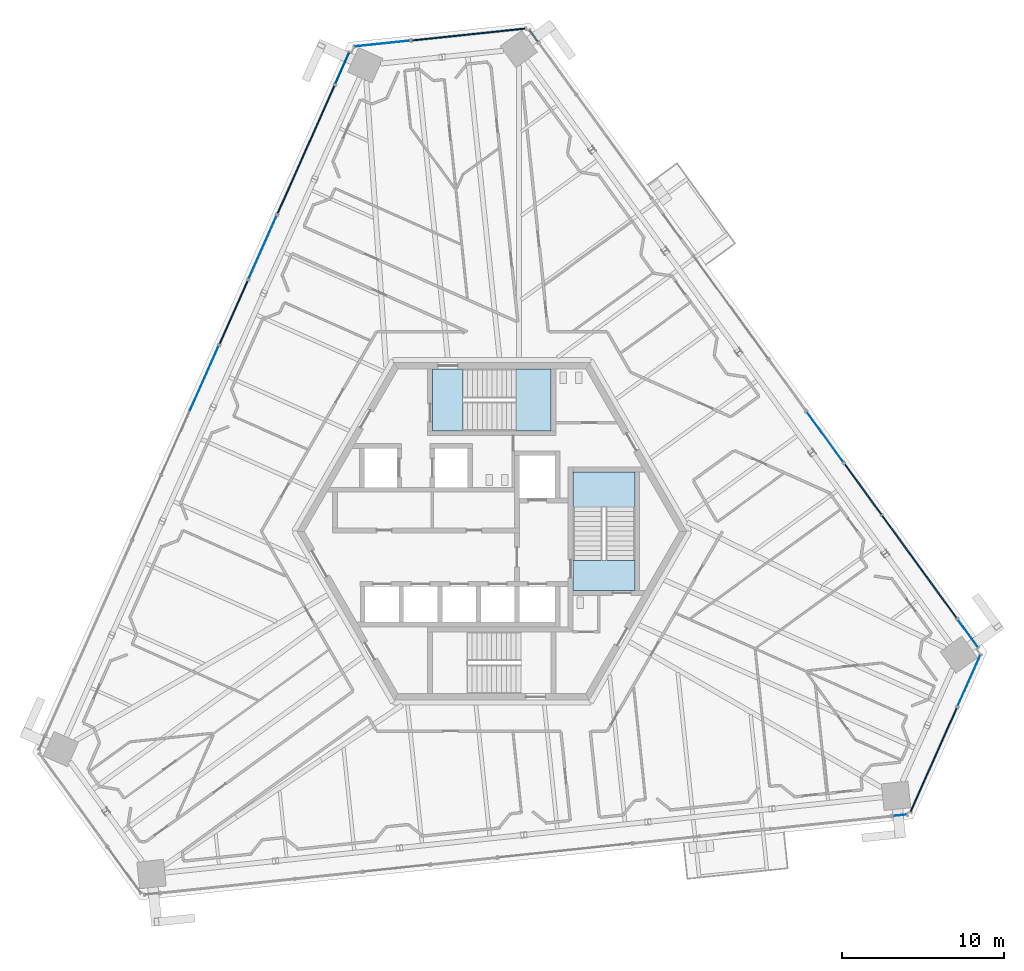
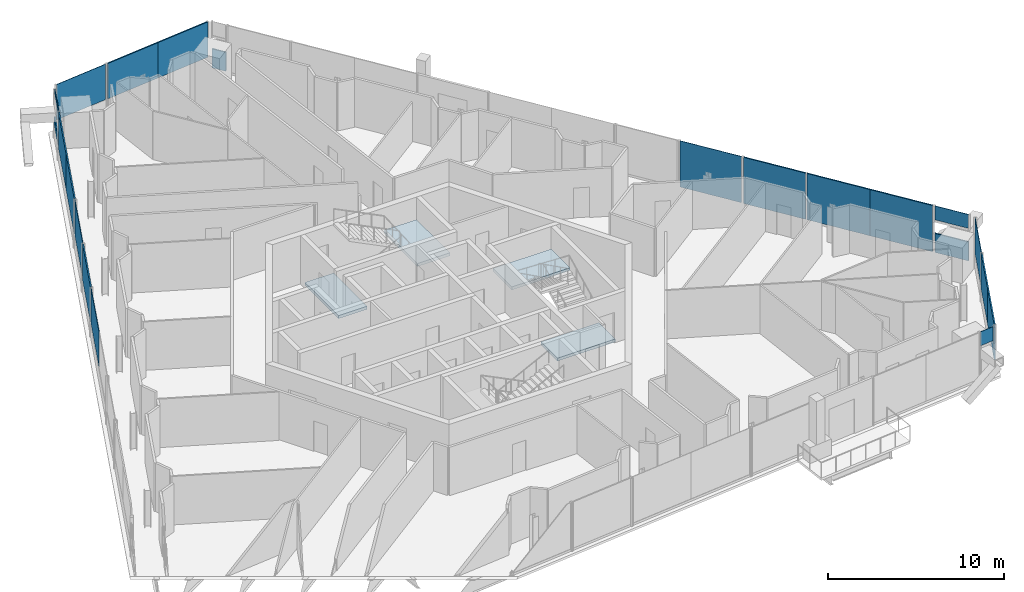
# One storey, part 13 of 26: 21 plates, 4 slabs, 18 elements without a shape of their own.
"""IFC4 building model written with IfcOpenShell, lengths in metres."""

from ifc_helpers import new_model, si_unit, direction, frame, origin, origin_2d, place, context, subcontext, project, spatial, polyline, rectangle, outline, extrude, source, transform, mapped, material, layer, layer_set, type_object, element, aggregate, save


model = new_model("IFC4")

# Units and contexts
model_context = context("Model", 3, precision=1e-05, world=origin(), true_north=direction((0.0, 1.0)))
body_context = subcontext(model_context, "Body", "Model", "MODEL_VIEW")
ifc_project = project(units=[si_unit("LENGTHUNIT", "METRE"), si_unit("AREAUNIT", "SQUARE_METRE"), si_unit("VOLUMEUNIT", "CUBIC_METRE"), si_unit("PLANEANGLEUNIT", "RADIAN"), si_unit("MASSUNIT", "GRAM", prefix="KILO")], contexts=[model_context])

# Site, building, storey
site_placement = place(None, origin())
site = spatial("IfcSite", under=ifc_project, at=site_placement, CompositionType="ELEMENT")
building_placement = place(site_placement, origin())
building = spatial("IfcBuilding", under=site, at=building_placement, Name="Triune Harvest Tower", CompositionType="ELEMENT")
storey_placement = place(building_placement, frame((0.0, 0.0, 252.10009765625)))
storey = spatial("IfcBuildingStorey", under=building, at=storey_placement, Name="L66", CompositionType="ELEMENT", Elevation=252.10009765625)

# Curtain wall, plate
ifc_material_1 = material(Name="Aluminium bronze anodised", Category="aluminium")
curtain_wall_type_1 = type_object("IfcCurtainWallType", Name="CW-1 Tower stick curtain wall", PredefinedType="NOTDEFINED", material=ifc_material_1)
curtain_wall_1_placement = place(storey_placement, origin())
curtain_wall_1 = element("IfcCurtainWall", 1, at=curtain_wall_1_placement, inside=storey, type_object=curtain_wall_type_1, Name="CW-1 B6-F3 L66 run 101")
ifc_material_2 = material(Name="Glass", Category="glass")
ifc_layer_1 = layer(ifc_material_2, 0.031982421875)
ifc_layer_set_1 = layer_set([ifc_layer_1], Name="Glass")
plate_type_1 = type_object("IfcPlateType", Name="GL-1 panel 32", PredefinedType="CURTAIN_PANEL", material=ifc_layer_set_1)
plate_1_placement = place(storey_placement, frame((-9.20068359375, 28.51513671875, 3.134765625), z_axis=(0.0, 0.0, 1.0), x_axis=(-0.406757886105, -0.913535999341, 0.0)))
plate_1 = element("IfcPlate", 2, at=plate_1_placement, type_object=plate_type_1, Name="CW-1 panel B6-F3 101.1", PredefinedType="CURTAIN_PANEL", context=body_context, shape_type="SweptSolid", body=[
    extrude(rectangle(XDim=2.08154296875, YDim=0.031982421875, at=origin_2d()), origin(), (0.0, 0.0, 1.0), 0.215087890625),
])
aggregate(curtain_wall_1, [plate_1])

curtain_wall_2_placement = place(storey_placement, origin())
curtain_wall_2 = element("IfcCurtainWall", 3, at=curtain_wall_2_placement, inside=storey, type_object=curtain_wall_type_1, Name="CW-1 B6-F3 L66 run 1201")
plate_2_placement = place(storey_placement, frame((-14.113037109375, 17.482177734375, 0.89990234375), z_axis=(0.0, 0.0, 1.0), x_axis=(-0.406743590698, -0.91354236433, 0.0)))
plate_2 = element("IfcPlate", 4, at=plate_2_placement, type_object=plate_type_1, Name="CW-1 panel B6-F3 1201.1", PredefinedType="CURTAIN_PANEL", context=body_context, shape_type="SweptSolid", body=[
    extrude(rectangle(XDim=4.234619140625, YDim=0.031982421875, at=origin_2d()), origin(), (0.0, 0.0, 1.0), 2.449951171875),
])
aggregate(curtain_wall_2, [plate_2])

curtain_wall_3_placement = place(storey_placement, origin())
curtain_wall_3 = element("IfcCurtainWall", 5, at=curtain_wall_3_placement, inside=storey, type_object=curtain_wall_type_1, Name="CW-1 B6-F3 L66 run 3201")
plate_3_placement = place(storey_placement, frame((-17.69482421875, 9.43701171875, 0.89990234375), z_axis=(0.0, 0.0, 1.0), x_axis=(-0.406733726114, -0.913546756352, 0.0)))
plate_3 = element("IfcPlate", 6, at=plate_3_placement, type_object=plate_type_1, Name="CW-1 panel B6-F3 3201.1", PredefinedType="CURTAIN_PANEL", context=body_context, shape_type="SweptSolid", body=[
    extrude(rectangle(XDim=4.3095703125, YDim=0.031982421875, at=origin_2d()), origin(), (0.0, 0.0, 1.0), 2.449951171875),
])
aggregate(curtain_wall_3, [plate_3])

curtain_wall_4_placement = place(storey_placement, origin())
curtain_wall_4 = element("IfcCurtainWall", 7, at=curtain_wall_4_placement, inside=storey, type_object=curtain_wall_type_1, Name="CW-1 B6-F6 L66 run 1001")
plate_4_placement = place(storey_placement, frame((29.37353515625, -9.163818359375, 0.89990234375), z_axis=(0.0, 0.0, 1.0), x_axis=(0.406751112323, 0.913539015381, 0.0)))
plate_4 = element("IfcPlate", 8, at=plate_4_placement, type_object=plate_type_1, Name="CW-1 panel B6-F6 1001.1", PredefinedType="CURTAIN_PANEL", context=body_context, shape_type="SweptSolid", body=[
    extrude(rectangle(XDim=3.425537109375, YDim=0.031982421875, at=origin_2d()), origin(), (0.0, 0.0, 1.0), 2.449951171875),
])
aggregate(curtain_wall_4, [plate_4])

ifc_material_3 = material(Name="Aluminium bronze anodised", Category="aluminium")
curtain_wall_type_2 = type_object("IfcCurtainWallType", Name="CW-6 Balcony window wall", PredefinedType="NOTDEFINED", material=ifc_material_3)
curtain_wall_5_placement = place(storey_placement, origin())
curtain_wall_5 = element("IfcCurtainWall", 9, at=curtain_wall_5_placement, inside=storey, type_object=curtain_wall_type_2, Name="CW-6 B6-F1 L66 run 101")
ifc_material_4 = material(Name="Glass", Category="glass")
ifc_layer_2 = layer(ifc_material_4, 0.030029296875)
ifc_layer_set_2 = layer_set([ifc_layer_2], Name="Glass")
plate_type_2 = type_object("IfcPlateType", Name="GL-6 panel 30", PredefinedType="CURTAIN_PANEL", material=ifc_layer_set_2)
plate_5_placement = place(storey_placement, frame((29.296630859375, -6.29150390625, 2.384765625), z_axis=(0.0, 0.0, 1.0), x_axis=(-0.587800420695, 0.809005973668, 0.0)))
plate_5 = element("IfcPlate", 10, at=plate_5_placement, type_object=plate_type_2, Name="CW-6 panel B6-F1 101.1", PredefinedType="CURTAIN_PANEL", context=body_context, shape_type="SweptSolid", body=[
    extrude(rectangle(XDim=2.076416015625, YDim=0.030029296875, at=origin_2d()), origin(), (0.0, 0.0, 1.0), 0.965087890625),
])
aggregate(curtain_wall_5, [plate_5])

curtain_wall_6_placement = place(storey_placement, origin())
curtain_wall_6 = element("IfcCurtainWall", 11, at=curtain_wall_6_placement, inside=storey, type_object=curtain_wall_type_2, Name="CW-6 B6-F1 L66 run 1201")
plate_6_placement = place(storey_placement, frame((20.510009765625, 5.802490234375, 0.14990234375), z_axis=(0.0, 0.0, 1.0), x_axis=(-0.587776036759, 0.809023689772, 0.0)))
plate_6 = element("IfcPlate", 12, at=plate_6_placement, type_object=plate_type_2, Name="CW-6 panel B6-F1 1201.1", PredefinedType="CURTAIN_PANEL", context=body_context, shape_type="SweptSolid", body=[
    extrude(rectangle(XDim=3.802978515625, YDim=0.030029296875, at=origin_2d()), origin(), (0.0, 0.0, 1.0), 3.199951171875),
])
aggregate(curtain_wall_6, [plate_6])

curtain_wall_7_placement = place(storey_placement, origin())
curtain_wall_7 = element("IfcCurtainWall", 13, at=curtain_wall_7_placement, inside=storey, type_object=curtain_wall_type_2, Name="CW-6 B6-F5 L66 run 202")
plate_7_placement = place(storey_placement, frame((25.11572265625, -17.473876953125, 2.384765625), z_axis=(0.0, 0.0, 1.0), x_axis=(0.994521930704, 0.104528127067, 0.0)))
plate_7 = element("IfcPlate", 14, at=plate_7_placement, type_object=plate_type_2, Name="CW-6 panel B6-F5 202.1", PredefinedType="CURTAIN_PANEL", context=body_context, shape_type="SweptSolid", body=[
    extrude(rectangle(XDim=0.846923828125, YDim=0.030029296875, at=origin_2d()), origin(), (0.0, 0.0, 1.0), 0.965087890625),
])
aggregate(curtain_wall_7, [plate_7])

ifc_material_5 = material(Name="Aluminium bronze anodised", Category="aluminium")
curtain_wall_type_3 = type_object("IfcCurtainWallType", Name="CW-10 Balcony window wall with insulated spandrel infill", PredefinedType="NOTDEFINED", material=ifc_material_5)
curtain_wall_8_placement = place(storey_placement, origin())
curtain_wall_8 = element("IfcCurtainWall", 15, at=curtain_wall_8_placement, inside=storey, type_object=curtain_wall_type_3, Name="CW-10 B6-F1 L66 run 1")
ifc_material_6 = material(Name="Insulated spandrel panel, bronze aluminium pan", Category="aluminium")
ifc_layer_3 = layer(ifc_material_6, 0.080078125)
ifc_layer_set_3 = layer_set([ifc_layer_3], Name="Insulated spandrel panel, bronze aluminium pan")
plate_type_3 = type_object("IfcPlateType", Name="SP-1 insulated spandrel panel 80", PredefinedType="CURTAIN_PANEL", material=ifc_layer_set_3)
plate_8_placement = place(storey_placement, frame((29.296630859375, -6.29150390625, 0.14990234375), z_axis=(0.0, 0.0, 1.0), x_axis=(-0.587800420695, 0.809005973668, 0.0)))
plate_8 = element("IfcPlate", 16, at=plate_8_placement, type_object=plate_type_3, Name="CW-10 panel B6-F1 1.1", PredefinedType="CURTAIN_PANEL", context=body_context, shape_type="SweptSolid", body=[
    extrude(rectangle(XDim=2.076416015625, YDim=0.080078125, at=origin_2d()), origin(), (0.0, 0.0, 1.0), 1.31494140625),
])
aggregate(curtain_wall_8, [plate_8])

# Curtain wall, plates
curtain_wall_9_placement = place(storey_placement, origin())
curtain_wall_9 = element("IfcCurtainWall", 17, at=curtain_wall_9_placement, inside=storey, type_object=curtain_wall_type_3, Name="CW-10 B6-F1 L66 run 201")
plate_9_placement = place(storey_placement, frame((27.45849609375, -3.761474609375, 0.14990234375), z_axis=(0.0, 0.0, 1.0), x_axis=(-0.58778707486, 0.809015670199, 0.0)))
plate_9 = element("IfcPlate", 18, at=plate_9_placement, type_object=plate_type_3, Name="CW-10 panel B6-F1 201.1", PredefinedType="CURTAIN_PANEL", context=body_context, shape_type="SweptSolid", body=[
    extrude(rectangle(XDim=3.878173828125, YDim=0.080078125, at=origin_2d()), origin(), (0.0, 0.0, 1.0), 3.199951171875),
])
plate_10_placement = place(storey_placement, frame((25.16796875, -0.60888671875, 0.14990234375), z_axis=(0.0, 0.0, 1.0), x_axis=(-0.58778707486, 0.809015670199, 0.0)))
plate_10 = element("IfcPlate", 19, at=plate_10_placement, type_object=plate_type_3, Name="CW-10 panel B6-F1 201.2", PredefinedType="CURTAIN_PANEL", context=body_context, shape_type="SweptSolid", body=[
    extrude(rectangle(XDim=3.91552734375, YDim=0.080078125, at=origin_2d()), origin(), (0.0, 0.0, 1.0), 3.199951171875),
])
plate_11_placement = place(storey_placement, frame((22.844482421875, 2.589111328125, 0.14990234375), z_axis=(0.0, 0.0, 1.0), x_axis=(-0.58778707486, 0.809015670199, 0.0)))
plate_11 = element("IfcPlate", 20, at=plate_11_placement, type_object=plate_type_3, Name="CW-10 panel B6-F1 201.3", PredefinedType="CURTAIN_PANEL", context=body_context, shape_type="SweptSolid", body=[
    extrude(rectangle(XDim=3.840576171875, YDim=0.080078125, at=origin_2d()), origin(), (0.0, 0.0, 1.0), 3.199951171875),
])
aggregate(curtain_wall_9, [plate_9, plate_10, plate_11])

# Curtain wall, plate
ifc_material_7 = material(Name="Aluminium bronze anodised", Category="aluminium")
curtain_wall_type_4 = type_object("IfcCurtainWallType", Name="CW-7 Tower stick curtain wall with insulated spandrel infill", PredefinedType="NOTDEFINED", material=ifc_material_7)
curtain_wall_10_placement = place(storey_placement, origin())
curtain_wall_10 = element("IfcCurtainWall", 21, at=curtain_wall_10_placement, inside=storey, type_object=curtain_wall_type_4, Name="CW-7 B6-F3 L66 run 1")
plate_12_placement = place(storey_placement, frame((-9.20068359375, 28.51513671875, 0.89990234375), z_axis=(0.0, 0.0, 1.0), x_axis=(-0.406757886105, -0.913535999341, 0.0)))
plate_12 = element("IfcPlate", 22, at=plate_12_placement, type_object=plate_type_3, Name="CW-7 panel B6-F3 1.1", PredefinedType="CURTAIN_PANEL", context=body_context, shape_type="SweptSolid", body=[
    extrude(rectangle(XDim=2.08154296875, YDim=0.080078125, at=origin_2d()), origin(), (0.0, 0.0, 1.0), 0.56494140625),
])
aggregate(curtain_wall_10, [plate_12])

curtain_wall_11_placement = place(storey_placement, origin())
curtain_wall_11 = element("IfcCurtainWall", 23, at=curtain_wall_11_placement, inside=storey, type_object=curtain_wall_type_4, Name="CW-7 B6-F3 L66 run 2201")
plate_13_placement = place(storey_placement, frame((-15.896240234375, 13.476806640625, 0.89990234375), z_axis=(0.0, 0.0, 1.0), x_axis=(-0.406733031034, -0.913547065819, 0.0)))
plate_13 = element("IfcPlate", 24, at=plate_13_placement, type_object=plate_type_3, Name="CW-7 panel B6-F3 2201.1", PredefinedType="CURTAIN_PANEL", context=body_context, shape_type="SweptSolid", body=[
    extrude(rectangle(XDim=4.234375, YDim=0.080078125, at=origin_2d()), origin(), (0.0, 0.0, 1.0), 2.449951171875),
])
aggregate(curtain_wall_11, [plate_13])

# Stair, slabs
ifc_material_8 = material(Name="Concrete 40 MPa", Category="concrete")
stair_type = type_object("IfcStairType", Name="Exit stair 1800 half turn", PredefinedType="HALF_TURN_STAIR", material=ifc_material_8)
stair_1_placement = place(storey_placement, origin())
stair_1 = element("IfcStair", 25, at=stair_1_placement, inside=storey, type_object=stair_type, Name="Exit stair north", PredefinedType="HALF_TURN_STAIR")
ifc_material_9 = material(Name="Concrete 40 MPa", Category="concrete")
ifc_layer_4 = layer(ifc_material_9, 0.199951171875)
ifc_layer_set_4 = layer_set([ifc_layer_4], Name="Concrete 40 MPa")
slab_type = type_object("IfcSlabType", Name="Stair landing 200", PredefinedType="LANDING", material=ifc_layer_set_4)
shared_shape_1 = source(origin(), body_context, "Body", "SweptSolid", [
    extrude(outline(polyline([(1.510009765625, 6.18994140625), (3.64990234375, 6.18994140625), (3.64990234375, 9.989990234375), (1.510009765625, 9.989990234375), (1.510009765625, 6.18994140625)])), origin(), (0.0, 0.0, 1.0), 0.199951171875),
])
slab_1_placement = place(storey_placement, frame((0.0, 0.0, 1.599853515625)))
slab_1 = element("IfcSlab", 26, at=slab_1_placement, type_object=slab_type, Name="ST-1 landing 2", PredefinedType="LANDING", context=body_context, shape_type="MappedRepresentation", body=[
    mapped(shared_shape_1, transform((0.0, 0.0, 0.0), scale=1.0)),
])
shared_shape_2 = source(origin(), body_context, "Body", "SweptSolid", [
    extrude(outline(polyline([(-3.64990234375, 6.18994140625), (-1.780029296875, 6.18994140625), (-1.780029296875, 9.989990234375), (-3.64990234375, 9.989990234375), (-3.64990234375, 6.18994140625)])), origin(), (0.0, 0.0, 1.0), 0.2001953125),
])
slab_2_placement = place(storey_placement, frame((0.0, 0.0, -0.2001953125)))
slab_2 = element("IfcSlab", 27, at=slab_2_placement, type_object=slab_type, Name="ST-1 landing 1", PredefinedType="LANDING", context=body_context, shape_type="MappedRepresentation", body=[
    mapped(shared_shape_2, transform((0.0, 0.0, 0.0), scale=1.0)),
])
aggregate(stair_1, [slab_2, slab_1])

stair_2_placement = place(storey_placement, origin())
stair_2 = element("IfcStair", 28, at=stair_2_placement, inside=storey, type_object=stair_type, Name="Exit stair east", PredefinedType="HALF_TURN_STAIR")
shared_shape_3 = source(origin(), body_context, "Body", "SweptSolid", [
    extrude(outline(polyline([(8.800048828125, 1.510009765625), (8.800048828125, 3.64990234375), (5.0, 3.64990234375), (5.0, 1.510009765625), (8.800048828125, 1.510009765625)])), origin(), (0.0, 0.0, 1.0), 0.199951171875),
])
slab_3_placement = place(storey_placement, frame((0.0, 0.0, 1.599853515625)))
slab_3 = element("IfcSlab", 29, at=slab_3_placement, type_object=slab_type, Name="ST-3 landing 2", PredefinedType="LANDING", context=body_context, shape_type="MappedRepresentation", body=[
    mapped(shared_shape_3, transform((0.0, 0.0, 0.0), scale=1.0)),
])
shared_shape_4 = source(origin(), body_context, "Body", "SweptSolid", [
    extrude(outline(polyline([(8.800048828125, -3.64990234375), (8.800048828125, -1.780029296875), (5.0, -1.780029296875), (5.0, -3.64990234375), (8.800048828125, -3.64990234375)])), origin(), (0.0, 0.0, 1.0), 0.2001953125),
])
slab_4_placement = place(storey_placement, frame((0.0, 0.0, -0.2001953125)))
slab_4 = element("IfcSlab", 30, at=slab_4_placement, type_object=slab_type, Name="ST-3 landing 1", PredefinedType="LANDING", context=body_context, shape_type="MappedRepresentation", body=[
    mapped(shared_shape_4, transform((0.0, 0.0, 0.0), scale=1.0)),
])
aggregate(stair_2, [slab_4, slab_3])

# Curtain wall, plate
curtain_wall_12_placement = place(storey_placement, origin())
curtain_wall_12 = element("IfcCurtainWall", 31, at=curtain_wall_12_placement, inside=storey, type_object=curtain_wall_type_3, Name="CW-10 B6-F1 L66 run 102")
shared_shape_5 = source(origin(), body_context, "Body", "SweptSolid", [
    extrude(rectangle(XDim=0.8466796875, YDim=0.080078125, at=origin_2d()), origin(), (0.0, 0.0, 1.0), 1.31494140625),
])
plate_14_placement = place(storey_placement, frame((2.574951171875, 30.48779296875, 0.14990234375), z_axis=(0.0, 0.0, 1.0), x_axis=(-0.58779582748, 0.809009310946, 0.0)))
plate_14 = element("IfcPlate", 32, at=plate_14_placement, type_object=plate_type_3, Name="CW-10 panel B6-F1 102.1", PredefinedType="CURTAIN_PANEL", context=body_context, shape_type="MappedRepresentation", body=[
    mapped(shared_shape_5, transform((0.0, 0.0, 0.0), scale=1.0)),
])
aggregate(curtain_wall_12, [plate_14])

# Curtain wall, plates
curtain_wall_13_placement = place(storey_placement, origin())
curtain_wall_13 = element("IfcCurtainWall", 33, at=curtain_wall_13_placement, inside=storey, type_object=curtain_wall_type_4, Name="CW-7 B6-F2 L66 run 1")
shared_shape_6 = source(origin(), body_context, "Body", "SweptSolid", [
    extrude(rectangle(XDim=3.500732421875, YDim=0.080078125, at=origin_2d()), origin(), (0.0, 0.0, 1.0), 2.449951171875),
])
plate_15_placement = place(storey_placement, frame((0.32421875, 30.763671875, 0.89990234375), z_axis=(0.0, 0.0, 1.0), x_axis=(-0.99452216823, -0.104525867131, 0.0)))
plate_15 = element("IfcPlate", 34, at=plate_15_placement, type_object=plate_type_3, Name="CW-7 panel B6-F2 1.1", PredefinedType="CURTAIN_PANEL", context=body_context, shape_type="MappedRepresentation", body=[
    mapped(shared_shape_6, transform((0.0, 0.0, 0.0), scale=1.0)),
])
plate_16_placement = place(storey_placement, frame((-3.1572265625, 30.397705078125, 0.89990234375), z_axis=(0.0, 0.0, 1.0), x_axis=(-0.99452216823, -0.104525867131, 0.0)))
plate_16 = element("IfcPlate", 35, at=plate_16_placement, type_object=plate_type_3, Name="CW-7 panel B6-F2 1.2", PredefinedType="CURTAIN_PANEL", context=body_context, shape_type="MappedRepresentation", body=[
    mapped(shared_shape_6, transform((0.0, 0.0, 0.0), scale=1.0)),
])
aggregate(curtain_wall_13, [plate_15, plate_16])

curtain_wall_14_placement = place(storey_placement, origin())
curtain_wall_14 = element("IfcCurtainWall", 36, at=curtain_wall_14_placement, inside=storey, type_object=curtain_wall_type_4, Name="CW-7 B6-F6 L66 run 1")
plate_17_placement = place(storey_placement, frame((26.47998046875, -15.66259765625, 0.89990234375), z_axis=(0.0, 0.0, 1.0), x_axis=(0.406739267949, 0.913544288969, 0.0)))
plate_17 = element("IfcPlate", 37, at=plate_17_placement, type_object=plate_type_3, Name="CW-7 panel B6-F6 1.1", PredefinedType="CURTAIN_PANEL", context=body_context, shape_type="MappedRepresentation", body=[
    mapped(shared_shape_6, transform((0.0, 0.0, 0.0), scale=1.0)),
])
plate_18_placement = place(storey_placement, frame((27.90380859375, -12.464599609375, 0.89990234375), z_axis=(0.0, 0.0, 1.0), x_axis=(0.406739267949, 0.913544288969, 0.0)))
plate_18 = element("IfcPlate", 38, at=plate_18_placement, type_object=plate_type_3, Name="CW-7 panel B6-F6 1.2", PredefinedType="CURTAIN_PANEL", context=body_context, shape_type="MappedRepresentation", body=[
    mapped(shared_shape_6, transform((0.0, 0.0, 0.0), scale=1.0)),
])
aggregate(curtain_wall_14, [plate_17, plate_18])

# Curtain wall, plate
curtain_wall_15_placement = place(storey_placement, origin())
curtain_wall_15 = element("IfcCurtainWall", 39, at=curtain_wall_15_placement, inside=storey, type_object=curtain_wall_type_1, Name="CW-1 B6-F2 L66 run 1001")
shared_shape_7 = source(origin(), body_context, "Body", "SweptSolid", [
    extrude(rectangle(XDim=3.42578125, YDim=0.031982421875, at=origin_2d()), origin(), (0.0, 0.0, 1.0), 2.449951171875),
])
plate_19_placement = place(storey_placement, frame((-6.75048828125, 30.02001953125, 0.89990234375), z_axis=(0.0, 0.0, 1.0), x_axis=(-0.994520968196, -0.104537284351, 0.0)))
plate_19 = element("IfcPlate", 40, at=plate_19_placement, type_object=plate_type_1, Name="CW-1 panel B6-F2 1001.1", PredefinedType="CURTAIN_PANEL", context=body_context, shape_type="MappedRepresentation", body=[
    mapped(shared_shape_7, transform((0.0, 0.0, 0.0), scale=1.0)),
])
aggregate(curtain_wall_15, [plate_19])

# Curtain wall, plates
curtain_wall_16_placement = place(storey_placement, origin())
curtain_wall_16 = element("IfcCurtainWall", 41, at=curtain_wall_16_placement, inside=storey, type_object=curtain_wall_type_4, Name="CW-7 B6-F3 L66 run 201")
shared_shape_8 = source(origin(), body_context, "Body", "SweptSolid", [
    extrude(rectangle(XDim=4.3095703125, YDim=0.080078125, at=origin_2d()), origin(), (0.0, 0.0, 1.0), 2.449951171875),
])
plate_20_placement = place(storey_placement, frame((-10.5615234375, 25.458984375, 0.89990234375), z_axis=(0.0, 0.0, 1.0), x_axis=(-0.406738310953, -0.913544715054, 0.0)))
plate_20 = element("IfcPlate", 42, at=plate_20_placement, type_object=plate_type_3, Name="CW-7 panel B6-F3 201.1", PredefinedType="CURTAIN_PANEL", context=body_context, shape_type="MappedRepresentation", body=[
    mapped(shared_shape_8, transform((0.0, 0.0, 0.0), scale=1.0)),
])
plate_21_placement = place(storey_placement, frame((-12.314453125, 21.52197265625, 0.89990234375), z_axis=(0.0, 0.0, 1.0), x_axis=(-0.406738310953, -0.913544715054, 0.0)))
plate_21 = element("IfcPlate", 43, at=plate_21_placement, type_object=plate_type_3, Name="CW-7 panel B6-F3 201.2", PredefinedType="CURTAIN_PANEL", context=body_context, shape_type="MappedRepresentation", body=[
    mapped(shared_shape_8, transform((0.0, 0.0, 0.0), scale=1.0)),
])
aggregate(curtain_wall_16, [plate_20, plate_21])

save(model, "model.ifc")
